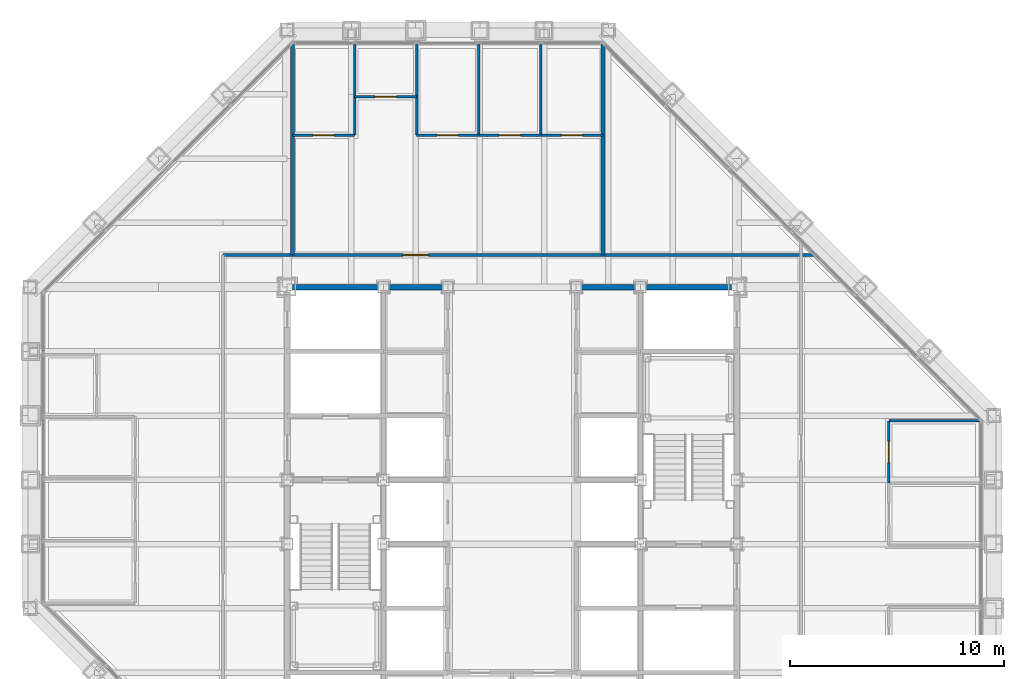
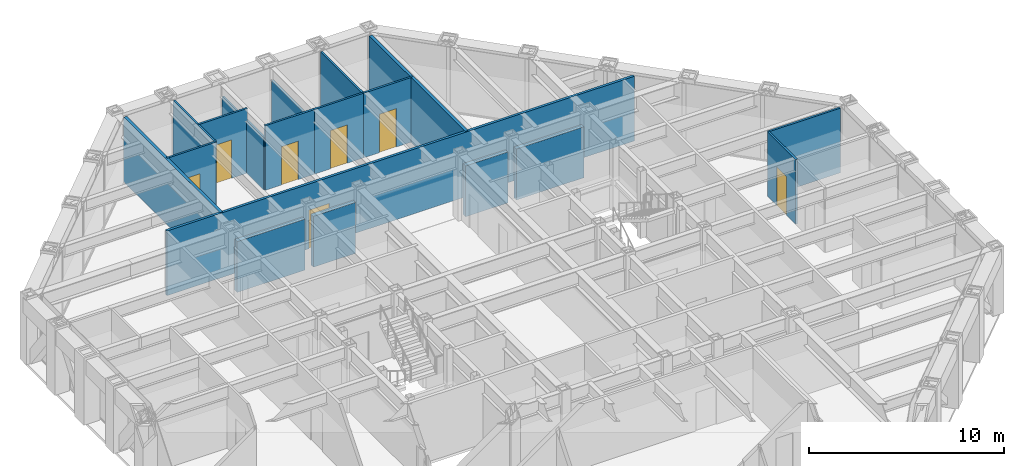
# One storey, part 13 of 16: 18 walls, 7 doors, 7 openings.
"""IFC4 building model written with IfcOpenShell, lengths in metres."""

from ifc_helpers import new_model, si_unit, direction, frame, frame_2d, origin, place, context, subcontext, project, spatial, rectangle, extrude, material, layer, layer_set, type_object, element, fill, save


model = new_model("IFC4")

# Units and contexts
model_context = context("Model", 3, precision=1e-05, world=origin(), true_north=direction((0.0, 1.0)))
body_context = subcontext(model_context, "Body", "Model", "MODEL_VIEW")
ifc_project = project(units=[si_unit("LENGTHUNIT", "METRE"), si_unit("AREAUNIT", "SQUARE_METRE"), si_unit("VOLUMEUNIT", "CUBIC_METRE"), si_unit("PLANEANGLEUNIT", "RADIAN"), si_unit("MASSUNIT", "GRAM", prefix="KILO")], contexts=[model_context])

# Site, building, storey
site_placement = place(None, origin())
site = spatial("IfcSite", under=ifc_project, at=site_placement, CompositionType="ELEMENT")
building_placement = place(site_placement, origin())
building = spatial("IfcBuilding", under=site, at=building_placement, Name="Chuquiago Exchange Tower", CompositionType="ELEMENT")
storey_placement = place(building_placement, frame((0.0, 0.0, 247.5)))
storey = spatial("IfcBuildingStorey", under=building, at=storey_placement, Name="L55", CompositionType="ELEMENT", Elevation=247.5)

# Walls
ifc_material_1 = material(Name="Concrete masonry, fully grouted", Category="masonry")
ifc_layer_1 = layer(ifc_material_1, 0.25)
ifc_layer_set_1 = layer_set([ifc_layer_1], Name="W1 core wall 250")
wall_type_1 = type_object("IfcWallType", Name="W1 core wall 250", PredefinedType="SOLIDWALL", material=ifc_layer_set_1)
wall_1_placement = place(storey_placement, frame((12.25, 33.0, 0.0), z_axis=(0.0, 0.0, 1.0), x_axis=(1.0, 0.0, 0.0)))
element("IfcWall", 1, at=wall_1_placement, inside=storey, type_object=wall_type_1, Name="CW-L55-11-0", PredefinedType="SOLIDWALL", context=body_context, shape_type="SweptSolid", body=[
    extrude(rectangle(XDim=4.0, YDim=0.25, at=frame_2d((2.0, 0.0))), origin(), (0.0, 0.0, 1.0), 3.181396484375),
])
for number, where, z_axis, x_axis, name in (
    (2, (16.75, 33.0, 0.0), (0.0, 0.0, 1.0), (1.0, 0.0, 0.0), "CW-L55-11-1"),
    (3, (25.75, 33.0, 0.0), (0.0, 0.0, 1.0), (1.0, 0.0, 0.0), "CW-L55-12-0"),
):
    element("IfcWall", number, at=place(storey_placement, frame(where, z_axis=z_axis, x_axis=x_axis)), inside=storey, type_object=wall_type_1, Name=name, PredefinedType="SOLIDWALL", context=body_context, shape_type="SweptSolid", body=[
        extrude(rectangle(XDim=2.5, YDim=0.25, at=frame_2d((1.25, 0.0))), origin(), (0.0, 0.0, 1.0), 3.181396484375),
    ])
wall_2_placement = place(storey_placement, frame((28.75, 33.0, 0.0), z_axis=(0.0, 0.0, 1.0), x_axis=(1.0, 0.0, 0.0)))
element("IfcWall", 4, at=wall_2_placement, inside=storey, type_object=wall_type_1, Name="CW-L55-12-1", PredefinedType="SOLIDWALL", context=body_context, shape_type="SweptSolid", body=[
    extrude(rectangle(XDim=4.0, YDim=0.25, at=frame_2d((2.0, 0.0))), origin(), (0.0, 0.0, 1.0), 3.181396484375),
])

# Wall, opening, door
ifc_material_2 = material(Name="Gypsum board on steel studs, acoustic insulation", Category="steel")
ifc_layer_2 = layer(ifc_material_2, 0.14990234375)
ifc_layer_set_2 = layer_set([ifc_layer_2], Name="W11 corridor wall 150")
wall_type_2 = type_object("IfcWallType", Name="W11 corridor wall 150", PredefinedType="PARTITIONING", material=ifc_layer_set_2)
wall_3_placement = place(storey_placement, frame((9.0, 34.5, 0.0), z_axis=(0.0, 0.0, 1.0), x_axis=(1.0, 0.0, 0.0)))
wall_3 = element("IfcWall", 5, at=wall_3_placement, inside=storey, type_object=wall_type_2, Name="PW-L55-CN", PredefinedType="PARTITIONING", context=body_context, shape_type="SweptSolid", body=[
    extrude(rectangle(XDim=27.614501953125, YDim=0.14990234375, at=frame_2d((13.80712890625, 0.0))), origin(), (0.0, 0.0, 1.0), 4.0400390625),
])
opening_1_placement = place(wall_3_placement, frame((8.39990234375, 0.0, 0.0)))
opening_1 = element("IfcOpeningElement", 6, at=opening_1_placement, cuts=wall_3, Name="Opening L55-038", PredefinedType="OPENING", context=body_context, shape_type="SweptSolid", body=[
    extrude(rectangle(XDim=1.199951171875, YDim=2.39990234375, at=frame_2d((0.60009765625, 1.199951171875))), frame((0.0, 0.0849609375, 0.0), z_axis=(0.0, -1.0, 0.0), x_axis=(1.0, 0.0, 0.0)), (0.0, 0.0, 1.0), 0.169921875),
])
ifc_material_3 = material(Name="Timber door, laminate faced", Category="wood")
door_type_1 = type_object("IfcDoorType", Name="D13 suite entrance door 1200x2400", OperationType="SINGLE_SWING_LEFT", PredefinedType="DOOR", material=ifc_material_3)
door_1_placement = place(opening_1_placement, origin())
door_1 = element("IfcDoor", 7, at=door_1_placement, inside=storey, type_object=door_type_1, Name="North suite entrance door", OperationType="SINGLE_SWING_LEFT", OverallHeight=2.39990234375, OverallWidth=1.199951171875, PredefinedType="DOOR", context=body_context, shape_type="SweptSolid", body=[
    extrude(rectangle(XDim=1.199951171875, YDim=2.39990234375, at=frame_2d((0.60009765625, 1.199951171875))), frame((0.0, 0.02490234375, 0.0), z_axis=(0.0, -1.0, 0.0), x_axis=(1.0, 0.0, 0.0)), (0.0, 0.0, 1.0), 0.050048828125),
])
fill(opening_1, door_1)

# Walls
ifc_material_4 = material(Name="Gypsum board on twin steel studs, acoustic insulation", Category="steel")
ifc_layer_3 = layer(ifc_material_4, 0.175048828125)
ifc_layer_set_3 = layer_set([ifc_layer_3], Name="W12 tenant demising wall 175")
wall_type_3 = type_object("IfcWallType", Name="W12 tenant demising wall 175", PredefinedType="PARTITIONING", material=ifc_layer_set_3)
for number, where, z_axis, x_axis, name in (
    (8, (12.24853515625, 44.333984375, 0.0), (0.0, 0.0, 1.0), (0.0, -1.0, 0.0), "PW-L55-DN01225"),
    (9, (26.75146484375, 44.333984375, 0.0), (0.0, 0.0, 1.0), (0.0, -1.0, 0.0), "PW-L55-DN02675"),
):
    element("IfcWall", number, at=place(storey_placement, frame(where, z_axis=z_axis, x_axis=x_axis)), inside=storey, type_object=wall_type_3, Name=name, PredefinedType="PARTITIONING", context=body_context, shape_type="SweptSolid", body=[
        extrude(rectangle(XDim=9.833984375, YDim=0.175048828125, at=frame_2d((4.9169921875, 0.0))), origin(), (0.0, 0.0, 1.0), 4.0400390625),
    ])
ifc_material_5 = material(Name="Gypsum board on steel studs", Category="steel")
ifc_layer_4 = layer(ifc_material_5, 0.1201171875)
ifc_layer_set_4 = layer_set([ifc_layer_4], Name="W4 partition 120")
wall_type_4 = type_object("IfcWallType", Name="W4 partition 120", PredefinedType="PARTITIONING", material=ifc_layer_set_4)
wall_4_placement = place(storey_placement, frame((44.333984375, 26.75146484375, 0.0), z_axis=(0.0, 0.0, 1.0), x_axis=(-1.0, 0.0, 0.0)))
element("IfcWall", 10, at=wall_4_placement, inside=storey, type_object=wall_type_4, Name="PW-L55-E02675", PredefinedType="PARTITIONING", context=body_context, shape_type="SweptSolid", body=[
    extrude(rectangle(XDim=4.23388671875, YDim=0.1201171875, at=frame_2d((2.116943359375, 0.0))), origin(), (0.0, 0.0, 1.0), 4.0400390625),
])

# Wall, opening, door
wall_5_placement = place(storey_placement, frame((40.10009765625, 23.850830078125, 0.0), z_axis=(0.0, 0.0, 1.0), x_axis=(0.0, 1.0, 0.0)))
wall_5 = element("IfcWall", 11, at=wall_5_placement, inside=storey, type_object=wall_type_4, Name="PW-L55-EF02385", PredefinedType="PARTITIONING", context=body_context, shape_type="SweptSolid", body=[
    extrude(rectangle(XDim=2.900634765625, YDim=0.1201171875, at=frame_2d((1.4501953125, 0.0))), origin(), (0.0, 0.0, 1.0), 4.0400390625),
])
opening_2_placement = place(wall_5_placement, frame((0.9501953125, 0.0, 0.0)))
opening_2 = element("IfcOpeningElement", 12, at=opening_2_placement, cuts=wall_5, Name="Opening L55-027", PredefinedType="OPENING", context=body_context, shape_type="SweptSolid", body=[
    extrude(rectangle(XDim=1.0, YDim=2.39990234375, at=frame_2d((0.5, 1.199951171875))), frame((0.0, 0.070068359375, 0.0), z_axis=(0.0, -1.0, 0.0), x_axis=(1.0, 0.0, 0.0)), (0.0, 0.0, 1.0), 0.14013671875),
])
ifc_material_6 = material(Name="Timber door, laminate faced", Category="wood")
door_type_2 = type_object("IfcDoorType", Name="D9 room door 1000x2400", OperationType="SINGLE_SWING_LEFT", PredefinedType="DOOR", material=ifc_material_6)
door_2_placement = place(opening_2_placement, frame((1.0, 0.0, 0.0), z_axis=(0.0, 0.0, 1.0), x_axis=(-1.0, 0.0, 0.0)))
door_2 = element("IfcDoor", 13, at=door_2_placement, inside=storey, type_object=door_type_2, Name="Office door", OperationType="SINGLE_SWING_RIGHT", OverallHeight=2.39990234375, OverallWidth=1.0, PredefinedType="DOOR", context=body_context, shape_type="SweptSolid", body=[
    extrude(rectangle(XDim=1.0, YDim=2.39990234375, at=frame_2d((0.5, 1.199951171875))), frame((0.0, 0.02490234375, 0.0), z_axis=(0.0, -1.0, 0.0), x_axis=(1.0, 0.0, 0.0)), (0.0, 0.0, 1.0), 0.050048828125),
])
fill(opening_2, door_2)

# Walls
wall_6_placement = place(storey_placement, frame((15.149169921875, 44.347412109375, 0.0), z_axis=(0.0, 0.0, 1.0), x_axis=(0.0, -1.0, 0.0)))
element("IfcWall", 14, at=wall_6_placement, inside=storey, type_object=wall_type_4, Name="PW-L55-N01515", PredefinedType="PARTITIONING", context=body_context, shape_type="SweptSolid", body=[
    extrude(rectangle(XDim=4.247314453125, YDim=0.1201171875, at=frame_2d((2.12353515625, 0.0))), origin(), (0.0, 0.0, 1.0), 4.0400390625),
])
for number, where, z_axis, x_axis, name in (
    (15, (18.0498046875, 44.347412109375, 0.0), (0.0, 0.0, 1.0), (0.0, -1.0, 0.0), "PW-L55-N01805"),
    (16, (20.9501953125, 44.347412109375, 0.0), (0.0, 0.0, 1.0), (0.0, -1.0, 0.0), "PW-L55-N02095"),
):
    element("IfcWall", number, at=place(storey_placement, frame(where, z_axis=z_axis, x_axis=x_axis)), inside=storey, type_object=wall_type_4, Name=name, PredefinedType="PARTITIONING", context=body_context, shape_type="SweptSolid", body=[
        extrude(rectangle(XDim=4.247314453125, YDim=0.1201171875, at=frame_2d((2.12353515625, 0.0))), origin(), (0.0, 0.0, 1.0), 3.278076171875),
    ])
wall_7_placement = place(storey_placement, frame((23.850830078125, 44.347412109375, 0.0), z_axis=(0.0, 0.0, 1.0), x_axis=(0.0, -1.0, 0.0)))
element("IfcWall", 17, at=wall_7_placement, inside=storey, type_object=wall_type_4, Name="PW-L55-N02385", PredefinedType="PARTITIONING", context=body_context, shape_type="SweptSolid", body=[
    extrude(rectangle(XDim=4.247314453125, YDim=0.1201171875, at=frame_2d((2.12353515625, 0.0))), origin(), (0.0, 0.0, 1.0), 4.0400390625),
])

# Wall, opening, door
wall_8_placement = place(storey_placement, frame((12.24853515625, 40.10009765625, 0.0), z_axis=(0.0, 0.0, 1.0), x_axis=(1.0, 0.0, 0.0)))
wall_8 = element("IfcWall", 18, at=wall_8_placement, inside=storey, type_object=wall_type_4, Name="PW-L55-NF01225", PredefinedType="PARTITIONING", context=body_context, shape_type="SweptSolid", body=[
    extrude(rectangle(XDim=2.900634765625, YDim=0.1201171875, at=frame_2d((1.4501953125, 0.0))), origin(), (0.0, 0.0, 1.0), 4.0400390625),
])
opening_3_placement = place(wall_8_placement, frame((0.9501953125, 0.0, 0.0)))
opening_3 = element("IfcOpeningElement", 19, at=opening_3_placement, cuts=wall_8, Name="Opening L55-028", PredefinedType="OPENING", context=body_context, shape_type="SweptSolid", body=[
    extrude(rectangle(XDim=1.0, YDim=2.39990234375, at=frame_2d((0.5, 1.199951171875))), frame((0.0, 0.070068359375, 0.0), z_axis=(0.0, -1.0, 0.0), x_axis=(1.0, 0.0, 0.0)), (0.0, 0.0, 1.0), 0.14013671875),
])
door_3_placement = place(opening_3_placement, origin())
door_3 = element("IfcDoor", 20, at=door_3_placement, inside=storey, type_object=door_type_2, Name="Reception door", OperationType="SINGLE_SWING_LEFT", OverallHeight=2.39990234375, OverallWidth=1.0, PredefinedType="DOOR", context=body_context, shape_type="SweptSolid", body=[
    extrude(rectangle(XDim=1.0, YDim=2.39990234375, at=frame_2d((0.5, 1.199951171875))), frame((0.0, 0.02490234375, 0.0), z_axis=(0.0, -1.0, 0.0), x_axis=(1.0, 0.0, 0.0)), (0.0, 0.0, 1.0), 0.050048828125),
])
fill(opening_3, door_3)

wall_9_placement = place(storey_placement, frame((15.149169921875, 41.89990234375, 0.0), z_axis=(0.0, 0.0, 1.0), x_axis=(1.0, 0.0, 0.0)))
wall_9 = element("IfcWall", 21, at=wall_9_placement, inside=storey, type_object=wall_type_4, Name="PW-L55-NF01515", PredefinedType="PARTITIONING", context=body_context, shape_type="SweptSolid", body=[
    extrude(rectangle(XDim=2.900634765625, YDim=0.1201171875, at=frame_2d((1.4501953125, 0.0))), origin(), (0.0, 0.0, 1.0), 4.0400390625),
])
opening_4_placement = place(wall_9_placement, frame((0.9501953125, 0.0, 0.0)))
opening_4 = element("IfcOpeningElement", 22, at=opening_4_placement, cuts=wall_9, Name="Opening L55-029", PredefinedType="OPENING", context=body_context, shape_type="SweptSolid", body=[
    extrude(rectangle(XDim=1.0, YDim=2.39990234375, at=frame_2d((0.5, 1.199951171875))), frame((0.0, 0.070068359375, 0.0), z_axis=(0.0, -1.0, 0.0), x_axis=(1.0, 0.0, 0.0)), (0.0, 0.0, 1.0), 0.14013671875),
])
ifc_material_7 = material(Name="Timber frame door, full height glazed panel", Category="wood")
door_type_3 = type_object("IfcDoorType", Name="D14 glazed meeting room door 1000x2400", OperationType="SINGLE_SWING_LEFT", PredefinedType="DOOR", material=ifc_material_7)
door_4_placement = place(opening_4_placement, origin())
door_4 = element("IfcDoor", 23, at=door_4_placement, inside=storey, type_object=door_type_3, Name="Focus room door", OperationType="SINGLE_SWING_LEFT", OverallHeight=2.39990234375, OverallWidth=1.0, PredefinedType="DOOR", context=body_context, shape_type="SweptSolid", body=[
    extrude(rectangle(XDim=1.0, YDim=2.39990234375, at=frame_2d((0.5, 1.199951171875))), frame((0.0, 0.02490234375, 0.0), z_axis=(0.0, -1.0, 0.0), x_axis=(1.0, 0.0, 0.0)), (0.0, 0.0, 1.0), 0.050048828125),
])
fill(opening_4, door_4)

wall_10_placement = place(storey_placement, frame((18.0498046875, 40.10009765625, 0.0), z_axis=(0.0, 0.0, 1.0), x_axis=(1.0, 0.0, 0.0)))
wall_10 = element("IfcWall", 24, at=wall_10_placement, inside=storey, type_object=wall_type_4, Name="PW-L55-NF01805", PredefinedType="PARTITIONING", context=body_context, shape_type="SweptSolid", body=[
    extrude(rectangle(XDim=2.900390625, YDim=0.1201171875, at=frame_2d((1.4501953125, 0.0))), origin(), (0.0, 0.0, 1.0), 4.0400390625),
])
opening_5_placement = place(wall_10_placement, frame((0.9501953125, 0.0, 0.0)))
opening_5 = element("IfcOpeningElement", 25, at=opening_5_placement, cuts=wall_10, Name="Opening L55-030", PredefinedType="OPENING", context=body_context, shape_type="SweptSolid", body=[
    extrude(rectangle(XDim=1.0, YDim=2.39990234375, at=frame_2d((0.5, 1.199951171875))), frame((0.0, 0.070068359375, 0.0), z_axis=(0.0, -1.0, 0.0), x_axis=(1.0, 0.0, 0.0)), (0.0, 0.0, 1.0), 0.14013671875),
])
door_5_placement = place(opening_5_placement, origin())
door_5 = element("IfcDoor", 26, at=door_5_placement, inside=storey, type_object=door_type_2, Name="Office door", OperationType="SINGLE_SWING_RIGHT", OverallHeight=2.39990234375, OverallWidth=1.0, PredefinedType="DOOR", context=body_context, shape_type="SweptSolid", body=[
    extrude(rectangle(XDim=1.0, YDim=2.39990234375, at=frame_2d((0.5, 1.199951171875))), frame((0.0, 0.02490234375, 0.0), z_axis=(0.0, -1.0, 0.0), x_axis=(1.0, 0.0, 0.0)), (0.0, 0.0, 1.0), 0.050048828125),
])
fill(opening_5, door_5)

wall_11_placement = place(storey_placement, frame((20.9501953125, 40.10009765625, 0.0), z_axis=(0.0, 0.0, 1.0), x_axis=(1.0, 0.0, 0.0)))
wall_11 = element("IfcWall", 27, at=wall_11_placement, inside=storey, type_object=wall_type_4, Name="PW-L55-NF02095", PredefinedType="PARTITIONING", context=body_context, shape_type="SweptSolid", body=[
    extrude(rectangle(XDim=2.900634765625, YDim=0.1201171875, at=frame_2d((1.4501953125, 0.0))), origin(), (0.0, 0.0, 1.0), 4.0400390625),
])
opening_6_placement = place(wall_11_placement, frame((0.9501953125, 0.0, 0.0)))
opening_6 = element("IfcOpeningElement", 28, at=opening_6_placement, cuts=wall_11, Name="Opening L55-031", PredefinedType="OPENING", context=body_context, shape_type="SweptSolid", body=[
    extrude(rectangle(XDim=1.0, YDim=2.39990234375, at=frame_2d((0.5, 1.199951171875))), frame((0.0, 0.070068359375, 0.0), z_axis=(0.0, -1.0, 0.0), x_axis=(1.0, 0.0, 0.0)), (0.0, 0.0, 1.0), 0.14013671875),
])
door_6_placement = place(opening_6_placement, origin())
door_6 = element("IfcDoor", 29, at=door_6_placement, inside=storey, type_object=door_type_2, Name="Office door", OperationType="SINGLE_SWING_LEFT", OverallHeight=2.39990234375, OverallWidth=1.0, PredefinedType="DOOR", context=body_context, shape_type="SweptSolid", body=[
    extrude(rectangle(XDim=1.0, YDim=2.39990234375, at=frame_2d((0.5, 1.199951171875))), frame((0.0, 0.02490234375, 0.0), z_axis=(0.0, -1.0, 0.0), x_axis=(1.0, 0.0, 0.0)), (0.0, 0.0, 1.0), 0.050048828125),
])
fill(opening_6, door_6)

wall_12_placement = place(storey_placement, frame((23.850830078125, 40.10009765625, 0.0), z_axis=(0.0, 0.0, 1.0), x_axis=(1.0, 0.0, 0.0)))
wall_12 = element("IfcWall", 30, at=wall_12_placement, inside=storey, type_object=wall_type_4, Name="PW-L55-NF02385", PredefinedType="PARTITIONING", context=body_context, shape_type="SweptSolid", body=[
    extrude(rectangle(XDim=2.900634765625, YDim=0.1201171875, at=frame_2d((1.4501953125, 0.0))), origin(), (0.0, 0.0, 1.0), 4.0400390625),
])
opening_7_placement = place(wall_12_placement, frame((0.9501953125, 0.0, 0.0)))
opening_7 = element("IfcOpeningElement", 31, at=opening_7_placement, cuts=wall_12, Name="Opening L55-032", PredefinedType="OPENING", context=body_context, shape_type="SweptSolid", body=[
    extrude(rectangle(XDim=1.0, YDim=2.39990234375, at=frame_2d((0.5, 1.199951171875))), frame((0.0, 0.070068359375, 0.0), z_axis=(0.0, -1.0, 0.0), x_axis=(1.0, 0.0, 0.0)), (0.0, 0.0, 1.0), 0.14013671875),
])
door_7_placement = place(opening_7_placement, origin())
door_7 = element("IfcDoor", 32, at=door_7_placement, inside=storey, type_object=door_type_2, Name="Office door", OperationType="SINGLE_SWING_RIGHT", OverallHeight=2.39990234375, OverallWidth=1.0, PredefinedType="DOOR", context=body_context, shape_type="SweptSolid", body=[
    extrude(rectangle(XDim=1.0, YDim=2.39990234375, at=frame_2d((0.5, 1.199951171875))), frame((0.0, 0.02490234375, 0.0), z_axis=(0.0, -1.0, 0.0), x_axis=(1.0, 0.0, 0.0)), (0.0, 0.0, 1.0), 0.050048828125),
])
fill(opening_7, door_7)

save(model, "model.ifc")
